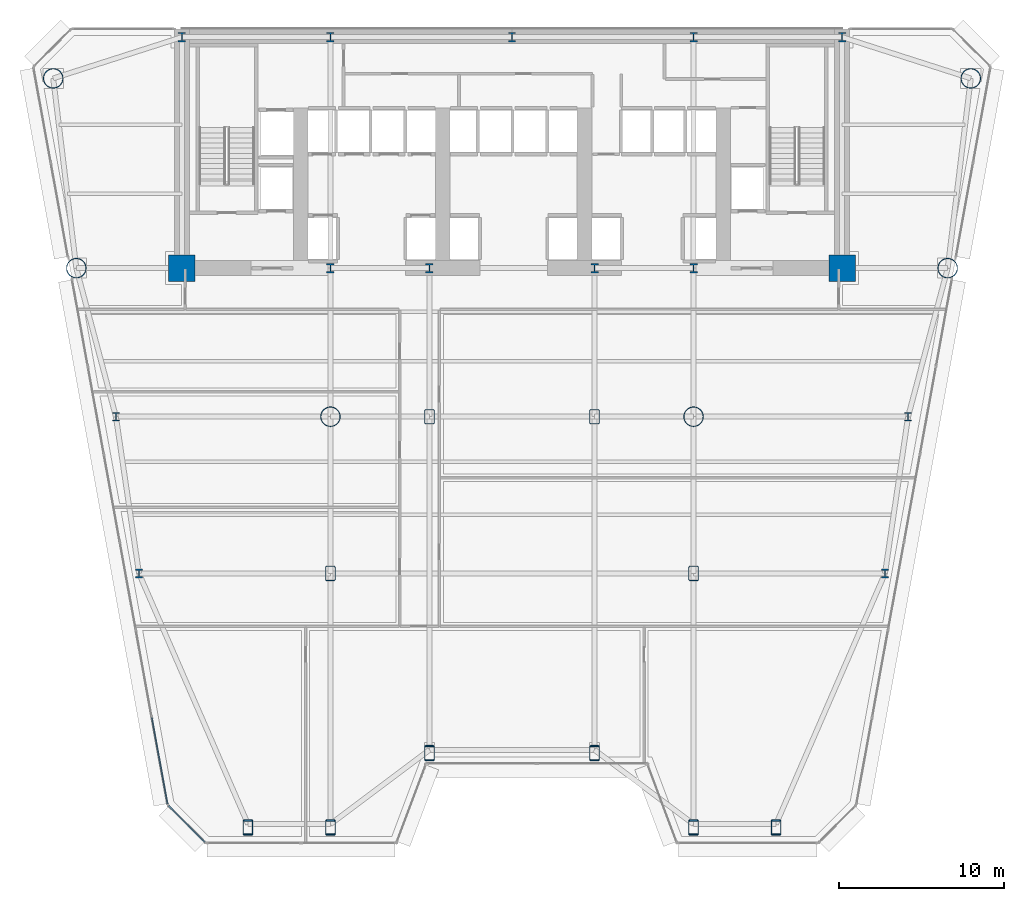
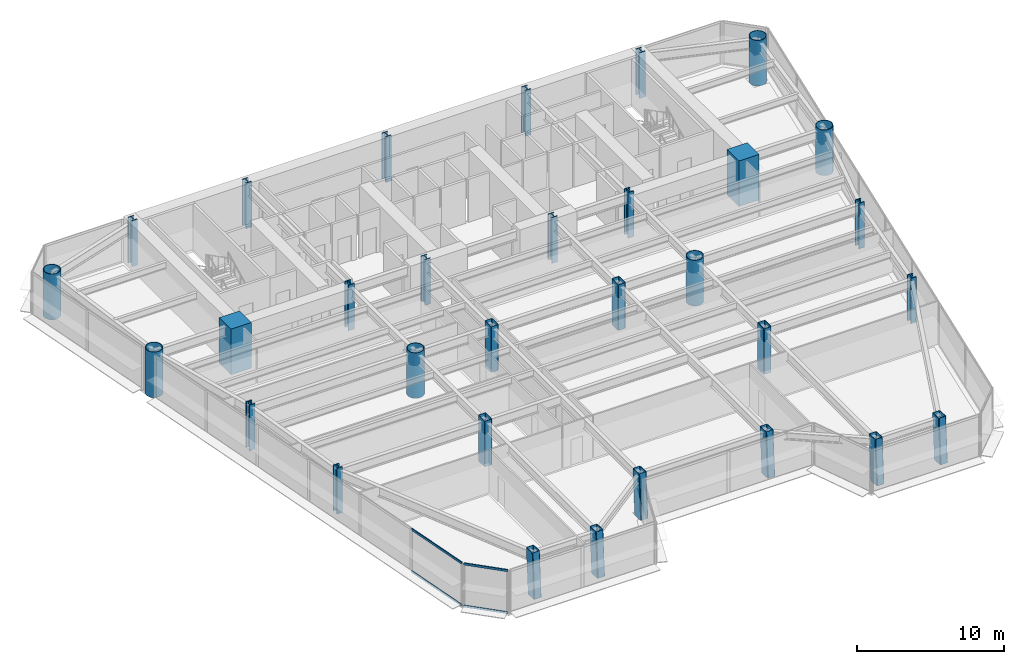
# One storey, part 1 of 14: 31 columns, 4 members, 2 elements without a shape of their own.
"""IFC4 building model written with IfcOpenShell, lengths in metres."""

from ifc_helpers import new_model, si_unit, direction, frame, origin, origin_2d, place, context, subcontext, project, spatial, rectangle, hollow_rectangle, hollow_circle, i_section, extrude, source, transform, mapped, material, layer, layer_set, material_profile, profile_set, type_object, element, aggregate, save


model = new_model("IFC4")

# Units and contexts
model_context = context("Model", 3, precision=1e-05, world=origin(), true_north=direction((0.0, 1.0)))
body_context = subcontext(model_context, "Body", "Model", "MODEL_VIEW")
ifc_project = project(units=[si_unit("LENGTHUNIT", "METRE"), si_unit("AREAUNIT", "SQUARE_METRE"), si_unit("VOLUMEUNIT", "CUBIC_METRE"), si_unit("PLANEANGLEUNIT", "RADIAN"), si_unit("MASSUNIT", "GRAM", prefix="KILO")], contexts=[model_context])

# Site, building, storey
site_placement = place(None, origin())
site = spatial("IfcSite", under=ifc_project, at=site_placement, CompositionType="ELEMENT")
building_placement = place(site_placement, origin())
building = spatial("IfcBuilding", under=site, at=building_placement, Name="Vaeldorn Concourse Tower", CompositionType="ELEMENT")
storey_placement = place(building_placement, frame((0.0, 0.0, 45.39990234375)))
storey = spatial("IfcBuildingStorey", under=building, at=storey_placement, Name="L11", CompositionType="ELEMENT", Elevation=45.39990234375)

# Columns
ifc_material_1 = material(Name="Concrete C60/75", Category="concrete")
ifc_material_profile_1 = material_profile(ifc_material_1, rectangle(XDim=1.60009765625, YDim=1.60009765625, at=origin_2d()), Name="RC 1600x1600")
ifc_profile_set_1 = profile_set([ifc_material_profile_1], Name="Concrete C60/75")
column_type_1 = type_object("IfcColumnType", Name="COL-RC1600", PredefinedType="COLUMN", material=ifc_profile_set_1)
shared_shape_1 = source(origin(), body_context, "Body", "SweptSolid", [
    extrude(rectangle(XDim=1.60009765625, YDim=1.60009765625, at=origin_2d()), origin(), (0.0, 0.0, 1.0), 3.800048828125),
])
for number, where, z_axis, x_axis, name in (
    (1, (14.0, 36.5, 0.0), (0.0, 0.0, 1.0), (1.0, 0.0, 0.0), "Column C-FC1 L11"),
    (2, (54.0, 36.5, 0.0), (0.0, 0.0, 1.0), (1.0, 0.0, 0.0), "Column C-FC6 L11"),
):
    element("IfcColumn", number, at=place(storey_placement, frame(where, z_axis=z_axis, x_axis=x_axis)), inside=storey, type_object=column_type_1, Name=name, PredefinedType="COLUMN", context=body_context, shape_type="MappedRepresentation", body=[
        mapped(shared_shape_1, transform((0.0, 0.0, 0.0), scale=1.0)),
    ])
ifc_material_2 = material(Name="Steel S460", Category="steel")
ifc_material_profile_2 = material_profile(ifc_material_2, i_section(OverallWidth=0.4541015625, OverallDepth=0.569091796875, WebThickness=0.077880859375, FlangeThickness=0.080078125, FilletRadius=0.014892578125, at=origin_2d()), Name="HD 400x1086")
ifc_profile_set_2 = profile_set([ifc_material_profile_2], Name="Steel S460")
column_type_2 = type_object("IfcColumnType", Name="COL-HD1086", PredefinedType="COLUMN", material=ifc_profile_set_2)
shared_shape_2 = source(origin(), body_context, "Body", "SweptSolid", [
    extrude(i_section(OverallWidth=0.4541015625, OverallDepth=0.569091796875, WebThickness=0.077880859375, FlangeThickness=0.080078125, FilletRadius=0.014892578125, at=origin_2d()), origin(), (0.0, 0.0, 1.0), 3.800048828125),
])
for number, where, z_axis, x_axis, name in (
    (3, (23.0, 36.5, 0.0), (0.0, 0.0, 1.0), (1.0, 0.0, 0.0), "Column C-FC2 L11"),
    (4, (29.0, 36.5, 0.0), (0.0, 0.0, 1.0), (1.0, 0.0, 0.0), "Column C-FC3 L11"),
    (5, (39.0, 36.5, 0.0), (0.0, 0.0, 1.0), (1.0, 0.0, 0.0), "Column C-FC4 L11"),
    (6, (45.0, 36.5, 0.0), (0.0, 0.0, 1.0), (1.0, 0.0, 0.0), "Column C-FC5 L11"),
    (7, (14.0, 50.5, 0.0), (0.0, 0.0, 1.0), (1.0, 0.0, 0.0), "Column C-HC1 L11"),
    (8, (23.0, 50.5, 0.0), (0.0, 0.0, 1.0), (1.0, 0.0, 0.0), "Column C-HC2 L11"),
    (9, (34.0, 50.5, 0.0), (0.0, 0.0, 1.0), (1.0, 0.0, 0.0), "Column C-HC3 L11"),
    (10, (45.0, 50.5, 0.0), (0.0, 0.0, 1.0), (1.0, 0.0, 0.0), "Column C-HC4 L11"),
    (11, (54.0, 50.5, 0.0), (0.0, 0.0, 1.0), (1.0, 0.0, 0.0), "Column C-HC5 L11"),
):
    element("IfcColumn", number, at=place(storey_placement, frame(where, z_axis=z_axis, x_axis=x_axis)), inside=storey, type_object=column_type_2, Name=name, PredefinedType="COLUMN", context=body_context, shape_type="MappedRepresentation", body=[
        mapped(shared_shape_2, transform((0.0, 0.0, 0.0), scale=1.0)),
    ])
ifc_material_profile_3 = material_profile(ifc_material_2, hollow_circle(Radius=0.609619140625, WallThickness=0.050048828125, at=origin_2d()), Name="CHS 1219x50")
ifc_profile_set_3 = profile_set([ifc_material_profile_3], Name="Steel S460")
column_type_3 = type_object("IfcColumnType", Name="COL-CHS1219", PredefinedType="COLUMN", material=ifc_profile_set_3)
shared_shape_3 = source(origin(), body_context, "Body", "SweptSolid", [
    extrude(hollow_circle(Radius=0.609619140625, WallThickness=0.050048828125, at=origin_2d()), origin(), (0.0, 0.0, 1.0), 3.800048828125),
])
for number, where, z_axis, x_axis, name in (
    (12, (6.199951171875, 48.0, 0.0), (0.0, 0.0, 1.0), (1.0, 0.0, 0.0), "Column C-NW1 L11"),
    (13, (7.60009765625, 36.5, 0.0), (0.0, 0.0, 1.0), (1.0, 0.0, 0.0), "Column C-NW2 L11"),
    (14, (61.800048828125, 48.0, 0.0), (0.0, 0.0, 1.0), (1.0, 0.0, 0.0), "Column C-NE1 L11"),
    (15, (60.39990234375, 36.5, 0.0), (0.0, 0.0, 1.0), (1.0, 0.0, 0.0), "Column C-NE2 L11"),
    (16, (23.0, 27.5, 0.0), (0.0, 0.0, 1.0), (1.0, 0.0, 0.0), "Column C-TW1 L11"),
    (17, (45.0, 27.5, 0.0), (0.0, 0.0, 1.0), (1.0, 0.0, 0.0), "Column C-TW4 L11"),
):
    element("IfcColumn", number, at=place(storey_placement, frame(where, z_axis=z_axis, x_axis=x_axis)), inside=storey, type_object=column_type_3, Name=name, PredefinedType="COLUMN", context=body_context, shape_type="MappedRepresentation", body=[
        mapped(shared_shape_3, transform((0.0, 0.0, 0.0), scale=1.0)),
    ])
ifc_material_profile_4 = material_profile(ifc_material_2, i_section(OverallWidth=0.44189453125, OverallDepth=0.531005859375, WebThickness=0.06494140625, FlangeThickness=0.075927734375, FilletRadius=0.014892578125, at=origin_2d()), Name="HD 400x900")
ifc_profile_set_4 = profile_set([ifc_material_profile_4], Name="Steel S460")
column_type_4 = type_object("IfcColumnType", Name="COL-HD900F", PredefinedType="COLUMN", material=ifc_profile_set_4)
shared_shape_4 = source(origin(), body_context, "Body", "SweptSolid", [
    extrude(i_section(OverallWidth=0.44189453125, OverallDepth=0.531005859375, WebThickness=0.06494140625, FlangeThickness=0.075927734375, FilletRadius=0.014892578125, at=origin_2d()), origin(), (0.0, 0.0, 1.0), 3.800048828125),
])
for number, where, z_axis, x_axis, name in (
    (18, (10.0, 27.5, 0.0), (0.0, 0.0, 1.0), (1.0, 0.0, 0.0), "Column C-FLW1 L11"),
    (19, (11.39990234375, 18.0, 0.0), (0.0, 0.0, 1.0), (1.0, 0.0, 0.0), "Column C-FLW2 L11"),
    (20, (58.0, 27.5, 0.0), (0.0, 0.0, 1.0), (1.0, 0.0, 0.0), "Column C-FLE1 L11"),
    (21, (56.60009765625, 18.0, 0.0), (0.0, 0.0, 1.0), (1.0, 0.0, 0.0), "Column C-FLE2 L11"),
):
    element("IfcColumn", number, at=place(storey_placement, frame(where, z_axis=z_axis, x_axis=x_axis)), inside=storey, type_object=column_type_4, Name=name, PredefinedType="COLUMN", context=body_context, shape_type="MappedRepresentation", body=[
        mapped(shared_shape_4, transform((0.0, 0.0, 0.0), scale=1.0)),
    ])
ifc_material_profile_5 = material_profile(ifc_material_2, hollow_rectangle(XDim=0.60009765625, YDim=0.89990234375, WallThickness=0.0400390625, InnerFilletRadius=0.0400390625, OuterFilletRadius=0.080078125, at=origin_2d()), Name="RHS 900x600x40")
ifc_profile_set_5 = profile_set([ifc_material_profile_5], Name="Steel S460")
column_type_5 = type_object("IfcColumnType", Name="COL-RHS900", PredefinedType="COLUMN", material=ifc_profile_set_5)
shared_shape_5 = source(origin(), body_context, "Body", "SweptSolid", [
    extrude(hollow_rectangle(XDim=0.60009765625, YDim=0.89990234375, WallThickness=0.0400390625, InnerFilletRadius=0.0400390625, OuterFilletRadius=0.080078125, at=origin_2d()), origin(), (0.0, 0.0, 1.0), 3.800048828125),
])
for number, where, z_axis, x_axis, name in (
    (22, (29.0, 27.5, 0.0), (0.0, 0.0, 1.0), (1.0, 0.0, 0.0), "Column C-TW2 L11"),
    (23, (39.0, 27.5, 0.0), (0.0, 0.0, 1.0), (1.0, 0.0, 0.0), "Column C-TW3 L11"),
    (24, (23.0, 18.0, 0.0), (0.0, 0.0, 1.0), (1.0, 0.0, 0.0), "Column C-TW5 L11"),
    (25, (45.0, 18.0, 0.0), (0.0, 0.0, 1.0), (1.0, 0.0, 0.0), "Column C-TW6 L11"),
):
    element("IfcColumn", number, at=place(storey_placement, frame(where, z_axis=z_axis, x_axis=x_axis)), inside=storey, type_object=column_type_5, Name=name, PredefinedType="COLUMN", context=body_context, shape_type="MappedRepresentation", body=[
        mapped(shared_shape_5, transform((0.0, 0.0, 0.0), scale=1.0)),
    ])
shared_shape_6 = source(origin(), body_context, "Body", "SweptSolid", [
    extrude(hollow_rectangle(XDim=0.60009765625, YDim=0.89990234375, WallThickness=0.0400390625, InnerFilletRadius=0.0400390625, OuterFilletRadius=0.080078125, at=origin_2d()), origin(), (0.0, 0.0, 1.0), 3.74365234375),
])
for number, where, z_axis, x_axis, name in (
    (26, (18.0, 2.573486328125, 0.031982421875), (0.0, 0.063843869911, 0.997959899132), (-1.0, 0.0, 0.0), "Column C-SF1 L11"),
    (27, (23.0, 2.573486328125, 0.031982421875), (0.0, 0.063843869911, 0.997959899132), (-1.0, 0.0, 0.0), "Column C-SF2 L11"),
    (28, (29.0, 7.073486328125, 0.031982421875), (0.0, 0.063843869911, 0.997959899132), (-1.0, 0.0, 0.0), "Column C-SF3 L11"),
    (29, (39.0, 7.073486328125, 0.031982421875), (0.0, 0.063843869911, 0.997959899132), (-1.0, 0.0, 0.0), "Column C-SF4 L11"),
    (30, (45.0, 2.573486328125, 0.031982421875), (0.0, 0.063843869911, 0.997959899132), (-1.0, 0.0, 0.0), "Column C-SF5 L11"),
    (31, (50.0, 2.573486328125, 0.031982421875), (0.0, 0.063843869911, 0.997959899132), (-1.0, 0.0, 0.0), "Column C-SF6 L11"),
):
    element("IfcColumn", number, at=place(storey_placement, frame(where, z_axis=z_axis, x_axis=x_axis)), inside=storey, type_object=column_type_5, Name=name, PredefinedType="COLUMN", context=body_context, shape_type="MappedRepresentation", body=[
        mapped(shared_shape_6, transform((0.0, 0.0, 0.0), scale=1.0)),
    ])

# Curtain wall, members
ifc_material_3 = material(Name="Anodised Bronze Aluminium", Category="aluminium")
ifc_layer = layer(ifc_material_3, 0.219970703125)
ifc_layer_set = layer_set([ifc_layer], Name="Anodised Bronze Aluminium")
curtain_wall_type = type_object("IfcCurtainWallType", Name="CW-SYS-01", PredefinedType="NOTDEFINED", material=ifc_layer_set)
curtain_wall_1_placement = place(storey_placement, origin())
curtain_wall_1 = element("IfcCurtainWall", 32, at=curtain_wall_1_placement, inside=storey, type_object=curtain_wall_type, Name="Unitised Curtain Wall CW-L11-E12-1", PredefinedType="NOTDEFINED")
ifc_material_profile_6 = material_profile(ifc_material_3, rectangle(XDim=0.074951171875, YDim=0.179931640625, at=origin_2d()), Name="CWT 75x180")
ifc_profile_set_6 = profile_set([ifc_material_profile_6], Name="Anodised Bronze Aluminium")
member_type = type_object("IfcMemberType", Name="CWT-BRONZE-180", PredefinedType="USERDEFINED", material=ifc_profile_set_6)
shared_shape_7 = source(origin(), body_context, "Body", "SweptSolid", [
    extrude(rectangle(XDim=0.074951171875, YDim=0.179931640625, at=origin_2d()), origin(), (0.0, 0.0, 1.0), 3.102783203125),
])
member_1_placement = place(storey_placement, frame((13.19189453125, 3.92041015625, 0.03759765625), z_axis=(0.707146122816, -0.707067437368, 0.0), x_axis=(0.707067437368, 0.707146122816, 0.0)))
member_1 = element("IfcMember", 33, at=member_1_placement, type_object=member_type, Name="CW-01 transom 1.1", ObjectType="TRANSOM", PredefinedType="USERDEFINED", context=body_context, shape_type="MappedRepresentation", body=[
    mapped(shared_shape_7, transform((0.0, 0.0, 0.0), scale=1.0)),
])
member_2_placement = place(storey_placement, frame((13.19189453125, 3.92041015625, 3.54248046875), z_axis=(0.707146122816, -0.707067437368, 0.0), x_axis=(0.707067437368, 0.707146122816, 0.0)))
member_2 = element("IfcMember", 34, at=member_2_placement, type_object=member_type, Name="CW-01 transom 1.2", ObjectType="TRANSOM", PredefinedType="USERDEFINED", context=body_context, shape_type="MappedRepresentation", body=[
    mapped(shared_shape_7, transform((0.0, 0.0, 0.0), scale=1.0)),
])
aggregate(curtain_wall_1, [member_1, member_2])

curtain_wall_2_placement = place(storey_placement, origin())
curtain_wall_2 = element("IfcCurtainWall", 35, at=curtain_wall_2_placement, inside=storey, type_object=curtain_wall_type, Name="Unitised Curtain Wall CW-L11-E11-2", PredefinedType="NOTDEFINED")
shared_shape_8 = source(origin(), body_context, "Body", "SweptSolid", [
    extrude(rectangle(XDim=0.074951171875, YDim=0.179931640625, at=origin_2d()), origin(), (0.0, 0.0, 1.0), 5.29248046875),
])
member_3_placement = place(storey_placement, frame((12.177978515625, 9.25439453125, 0.03759765625), z_axis=(0.179027514342, -0.983844067476, 0.0), x_axis=(0.983844067476, 0.179027514342, 0.0)))
member_3 = element("IfcMember", 36, at=member_3_placement, type_object=member_type, Name="CW-01 transom 6.1", ObjectType="TRANSOM", PredefinedType="USERDEFINED", context=body_context, shape_type="MappedRepresentation", body=[
    mapped(shared_shape_8, transform((0.0, 0.0, 0.0), scale=1.0)),
])
member_4_placement = place(storey_placement, frame((12.177978515625, 9.25439453125, 3.54248046875), z_axis=(0.179027514342, -0.983844067476, 0.0), x_axis=(0.983844067476, 0.179027514342, 0.0)))
member_4 = element("IfcMember", 37, at=member_4_placement, type_object=member_type, Name="CW-01 transom 6.2", ObjectType="TRANSOM", PredefinedType="USERDEFINED", context=body_context, shape_type="MappedRepresentation", body=[
    mapped(shared_shape_8, transform((0.0, 0.0, 0.0), scale=1.0)),
])
aggregate(curtain_wall_2, [member_3, member_4])

save(model, "model.ifc")
